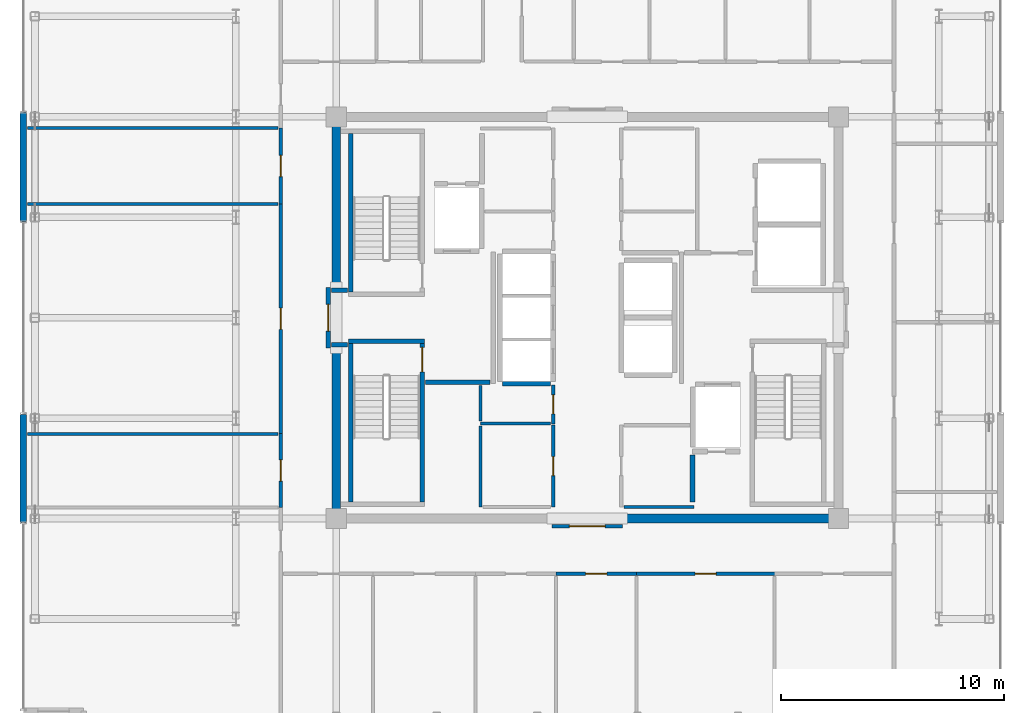
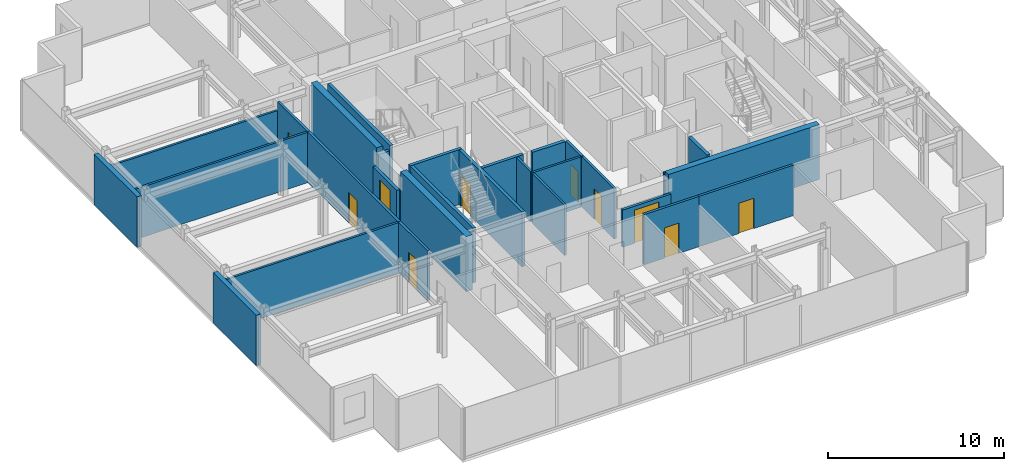
# One storey, part 11 of 16: 30 walls, 10 doors, 10 openings.
"""IFC4 building model written with IfcOpenShell, lengths in metres."""

from ifc_helpers import new_model, si_unit, direction, frame, frame_2d, origin, place, context, subcontext, project, spatial, rectangle, extrude, source, transform, mapped, material, layer, layer_set, type_object, element, fill, save


model = new_model("IFC4")

# Units and contexts
model_context = context("Model", 3, precision=1e-05, world=origin(), true_north=direction((0.0, 1.0)))
body_context = subcontext(model_context, "Body", "Model", "MODEL_VIEW")
ifc_project = project(units=[si_unit("LENGTHUNIT", "METRE"), si_unit("AREAUNIT", "SQUARE_METRE"), si_unit("VOLUMEUNIT", "CUBIC_METRE"), si_unit("PLANEANGLEUNIT", "RADIAN"), si_unit("MASSUNIT", "GRAM", prefix="KILO")], contexts=[model_context])

# Site, building, storey
site_placement = place(None, origin())
site = spatial("IfcSite", under=ifc_project, at=site_placement, CompositionType="ELEMENT")
building_placement = place(site_placement, origin())
building = spatial("IfcBuilding", under=site, at=building_placement, Name="Nefas-Gora Pilgrimage Tower", CompositionType="ELEMENT")
storey_placement = place(building_placement, frame((0.0, 0.0, 345.199951171875)))
storey = spatial("IfcBuildingStorey", under=building, at=storey_placement, Name="L87", CompositionType="ELEMENT", Elevation=345.199951171875)

# Walls
ifc_material_1 = material(Name="Concrete C50/60", Category="concrete")
ifc_layer_1 = layer(ifc_material_1, 0.39990234375)
ifc_layer_set_1 = layer_set([ifc_layer_1], Name="Concrete C50/60")
wall_type_1 = type_object("IfcWallType", Name="SW-CORE-400", PredefinedType="SHEAR", material=ifc_layer_set_1)
shared_shape_1 = source(origin(), body_context, "Body", "SweptSolid", [
    extrude(rectangle(XDim=9.89990234375, YDim=0.39990234375, at=frame_2d((4.949951171875, 0.0))), origin(), (0.0, 0.0, 1.0), 3.800048828125),
])
wall_1_placement = place(storey_placement, frame((1.550048828125, -9.0, 0.0), z_axis=(0.0, 0.0, 1.0), x_axis=(1.0, 0.0, 0.0)))
element("IfcWall", 1, at=wall_1_placement, inside=storey, type_object=wall_type_1, Name="L87 Core Shear Wall S-East", PredefinedType="SHEAR", context=body_context, shape_type="MappedRepresentation", body=[
    mapped(shared_shape_1, transform((0.0, 0.0, 0.0), x_axis=(1.0, 0.0, 0.0), y_axis=(0.0, 1.0, 0.0), z_axis=(0.0, 0.0, 1.0), scale=1.0)),
])
shared_shape_2 = source(origin(), body_context, "Body", "SweptSolid", [
    extrude(rectangle(XDim=7.449951171875, YDim=0.39990234375, at=frame_2d((3.72509765625, 0.0))), origin(), (0.0, 0.0, 1.0), 3.800048828125),
])
for number, where, z_axis, x_axis, name in (
    (2, (-11.25, -8.800048828125, 0.0), (0.0, 0.0, 1.0), (0.0, 1.0, 0.0), "L87 Core Shear Wall W-South"),
    (3, (-11.25, 1.35009765625, 0.0), (0.0, 0.0, 1.0), (0.0, 1.0, 0.0), "L87 Core Shear Wall W-North"),
):
    element("IfcWall", number, at=place(storey_placement, frame(where, z_axis=z_axis, x_axis=x_axis)), inside=storey, type_object=wall_type_1, Name=name, PredefinedType="SHEAR", context=body_context, shape_type="MappedRepresentation", body=[
        mapped(shared_shape_2, transform((0.0, 0.0, 0.0), x_axis=(1.0, 0.0, 0.0), y_axis=(0.0, 1.0, 0.0), z_axis=(0.0, 0.0, 1.0), scale=1.0)),
    ])
ifc_material_2 = material(Name="Precast concrete C45/55", Category="concrete")
ifc_layer_2 = layer(ifc_material_2, 0.239990234375)
ifc_layer_set_2 = layer_set([ifc_layer_2], Name="Precast concrete C45/55")
wall_type_2 = type_object("IfcWallType", Name="EW-SERR-240", PredefinedType="SHEAR", material=ifc_layer_set_2)
shared_shape_3 = source(origin(), body_context, "Body", "SweptSolid", [
    extrude(rectangle(XDim=4.8798828125, YDim=0.300048828125, at=frame_2d((2.43994140625, 0.0))), origin(), (0.0, 0.0, 1.0), 3.5),
])
for number, where, z_axis, x_axis, name in (
    (4, (-25.27001953125, -9.18994140625, 0.0), (0.0, 0.0, 1.0), (0.0, 1.0, 0.0), "L87 Braced-Tube Precast Shear Cladding 1"),
    (5, (-25.27001953125, 4.31005859375, 0.0), (0.0, 0.0, 1.0), (0.0, 1.0, 0.0), "L87 Braced-Tube Precast Shear Cladding 2"),
):
    element("IfcWall", number, at=place(storey_placement, frame(where, z_axis=z_axis, x_axis=x_axis)), inside=storey, type_object=wall_type_2, Name=name, PredefinedType="SHEAR", context=body_context, shape_type="MappedRepresentation", body=[
        mapped(shared_shape_3, transform((0.0, 0.0, 0.0), x_axis=(1.0, 0.0, 0.0), y_axis=(0.0, 1.0, 0.0), z_axis=(0.0, 0.0, 1.0), scale=1.0)),
    ])
ifc_material_3 = material(Name="Concrete C45/55", Category="concrete")
ifc_layer_3 = layer(ifc_material_3, 0.199951171875)
ifc_layer_set_3 = layer_set([ifc_layer_3], Name="Concrete C45/55")
wall_type_3 = type_object("IfcWallType", Name="IW-STAIR-200", PredefinedType="SOLIDWALL", material=ifc_layer_set_3)
shared_shape_4 = source(origin(), body_context, "Body", "SweptSolid", [
    extrude(rectangle(XDim=3.39990234375, YDim=0.199951171875, at=frame_2d((1.699951171875, 0.0))), origin(), (0.0, 0.0, 1.0), 3.800048828125),
])
wall_2_placement = place(storey_placement, frame((-10.699951171875, -1.050048828125, 0.0), z_axis=(0.0, 0.0, 1.0), x_axis=(1.0, 0.0, 0.0)))
element("IfcWall", 6, at=wall_2_placement, inside=storey, type_object=wall_type_3, Name="L87 Stairwell Shear Wall ST-03-near", PredefinedType="SOLIDWALL", context=body_context, shape_type="MappedRepresentation", body=[
    mapped(shared_shape_4, transform((0.0, 0.0, 0.0), x_axis=(1.0, 0.0, 0.0), y_axis=(0.0, 1.0, 0.0), z_axis=(0.0, 0.0, 1.0), scale=1.0)),
])
shared_shape_5 = source(origin(), body_context, "Body", "SweptSolid", [
    extrude(rectangle(XDim=7.10009765625, YDim=0.199951171875, at=frame_2d((3.550048828125, 0.0))), origin(), (0.0, 0.0, 1.0), 3.800048828125),
])
for number, where, z_axis, x_axis, name in (
    (7, (-10.60009765625, 1.14990234375, 0.0), (0.0, 0.0, 1.0), (0.0, 1.0, 0.0), "L87 Stairwell Shear Wall ST-01-right"),
    (8, (-10.60009765625, -1.14990234375, 0.0), (0.0, 0.0, 1.0), (0.0, -1.0, 0.0), "L87 Stairwell Shear Wall ST-03-left"),
):
    element("IfcWall", number, at=place(storey_placement, frame(where, z_axis=z_axis, x_axis=x_axis)), inside=storey, type_object=wall_type_3, Name=name, PredefinedType="SOLIDWALL", context=body_context, shape_type="MappedRepresentation", body=[
        mapped(shared_shape_5, transform((0.0, 0.0, 0.0), x_axis=(1.0, 0.0, 0.0), y_axis=(0.0, 1.0, 0.0), z_axis=(0.0, 0.0, 1.0), scale=1.0)),
    ])

# Wall, opening, door
wall_3_placement = place(storey_placement, frame((-7.39990234375, -1.14990234375, 0.0), z_axis=(0.0, 0.0, 1.0), x_axis=(0.0, -1.0, 0.0)))
wall_3 = element("IfcWall", 9, at=wall_3_placement, inside=storey, type_object=wall_type_3, Name="L87 Stairwell Shear Wall ST-03-right", PredefinedType="SOLIDWALL", context=body_context, shape_type="MappedRepresentation", body=[
    mapped(shared_shape_5, transform((0.0, 0.0, 0.0), x_axis=(1.0, 0.0, 0.0), y_axis=(0.0, 1.0, 0.0), z_axis=(0.0, 0.0, 1.0), scale=1.0)),
])
opening_1_placement = place(wall_3_placement, frame((0.179931640625, 0.0, 0.0)))
opening_1 = element("IfcOpeningElement", 10, at=opening_1_placement, cuts=wall_3, Name="Opening ID-ST1", PredefinedType="OPENING", context=body_context, shape_type="SweptSolid", body=[
    extrude(rectangle(XDim=1.10009765625, YDim=2.14990234375, at=frame_2d((0.550048828125, 1.074951171875))), frame((0.0, 0.10986328125, 0.0), z_axis=(0.0, -1.0, 0.0), x_axis=(1.0, 0.0, 0.0)), (0.0, 0.0, 1.0), 0.219970703125),
])
ifc_material_4 = material(Name="Painted galvanised steel fire stair door", Category="steel")
door_type_1 = type_object("IfcDoorType", Name="DR-INT-STAIR-1100", OperationType="NOTDEFINED", PredefinedType="DOOR", material=ifc_material_4)
shared_shape_6 = source(origin(), body_context, "Body", "SweptSolid", [
    extrude(rectangle(XDim=1.10009765625, YDim=2.14990234375, at=frame_2d((0.550048828125, 1.074951171875))), frame((0.0, 0.02490234375, 0.0), z_axis=(0.0, -1.0, 0.0), x_axis=(1.0, 0.0, 0.0)), (0.0, 0.0, 1.0), 0.050048828125),
])
door_1_placement = place(opening_1_placement, origin())
door_1 = element("IfcDoor", 11, at=door_1_placement, inside=storey, type_object=door_type_1, Name="L87 Protected Exit Stair Door ST-03", OperationType="SINGLE_SWING_LEFT", OverallHeight=2.14990234375, OverallWidth=1.10009765625, PredefinedType="DOOR", context=body_context, shape_type="MappedRepresentation", body=[
    mapped(shared_shape_6, transform((0.0, 0.0, 0.0), x_axis=(1.0, 0.0, 0.0), y_axis=(0.0, 1.0, 0.0), z_axis=(0.0, 0.0, 1.0), scale=1.0)),
])
fill(opening_1, door_1)

# Walls
ifc_material_5 = material(Name="Concrete C40/50", Category="concrete")
ifc_layer_4 = layer(ifc_material_5, 0.219970703125)
ifc_layer_set_4 = layer_set([ifc_layer_4], Name="Concrete C40/50")
wall_type_4 = type_object("IfcWallType", Name="IW-SHAFT-220", PredefinedType="SOLIDWALL", material=ifc_layer_set_4)
shared_shape_7 = source(origin(), body_context, "Body", "SweptSolid", [
    extrude(rectangle(XDim=2.130126953125, YDim=0.219970703125, at=frame_2d((1.06494140625, 0.0))), origin(), (0.0, 0.0, 1.0), 3.485107421875),
])
wall_4_placement = place(storey_placement, frame((-3.7900390625, -2.9599609375, 0.0), z_axis=(0.0, 0.0, 1.0), x_axis=(1.0, 0.0, 0.0)))
element("IfcWall", 12, at=wall_4_placement, inside=storey, type_object=wall_type_4, Name="L87 Hoistway Wall PL3-01-S", PredefinedType="SOLIDWALL", context=body_context, shape_type="MappedRepresentation", body=[
    mapped(shared_shape_7, transform((0.0, 0.0, 0.0), x_axis=(1.0, 0.0, 0.0), y_axis=(0.0, 1.0, 0.0), z_axis=(0.0, 0.0, 1.0), scale=1.0)),
])
ifc_material_6 = material(Name="Gypsum fire-rated shaftwall")
ifc_layer_5 = layer(ifc_material_6, 0.199951171875)
ifc_layer_set_5 = layer_set([ifc_layer_5], Name="Gypsum fire-rated shaftwall")
wall_type_5 = type_object("IfcWallType", Name="IW-FFLOB-200", PredefinedType="PARTITIONING", material=ifc_layer_set_5)
shared_shape_8 = source(origin(), body_context, "Body", "SweptSolid", [
    extrude(rectangle(XDim=2.89990234375, YDim=0.199951171875, at=frame_2d((1.449951171875, 0.0))), origin(), (0.0, 0.0, 1.0), 3.485107421875),
])
wall_5_placement = place(storey_placement, frame((-7.260009765625, -2.89990234375, 0.0), z_axis=(0.0, 0.0, 1.0), x_axis=(1.0, 0.0, 0.0)))
element("IfcWall", 13, at=wall_5_placement, inside=storey, type_object=wall_type_5, Name="L87 FF Lobby West South Wall Wall 7", PredefinedType="PARTITIONING", context=body_context, shape_type="MappedRepresentation", body=[
    mapped(shared_shape_8, transform((0.0, 0.0, 0.0), x_axis=(1.0, 0.0, 0.0), y_axis=(0.0, 1.0, 0.0), z_axis=(0.0, 0.0, 1.0), scale=1.0)),
])
shared_shape_9 = source(origin(), body_context, "Body", "SweptSolid", [
    extrude(rectangle(XDim=0.719970703125, YDim=0.199951171875, at=frame_2d((0.35986328125, 0.0))), origin(), (0.0, 0.0, 1.0), 3.485107421875),
])
for number, where, z_axis, x_axis, name in (
    (14, (-11.4599609375, 1.219970703125, 0.0), (0.0, 0.0, 1.0), (1.0, 0.0, 0.0), "L87 FF Lobby West Throat N Wall 8"),
    (15, (-11.4599609375, -1.219970703125, 0.0), (0.0, 0.0, 1.0), (1.0, 0.0, 0.0), "L87 FF Lobby West Throat S Wall 9"),
):
    element("IfcWall", number, at=place(storey_placement, frame(where, z_axis=z_axis, x_axis=x_axis)), inside=storey, type_object=wall_type_5, Name=name, PredefinedType="PARTITIONING", context=body_context, shape_type="MappedRepresentation", body=[
        mapped(shared_shape_9, transform((0.0, 0.0, 0.0), x_axis=(1.0, 0.0, 0.0), y_axis=(0.0, 1.0, 0.0), z_axis=(0.0, 0.0, 1.0), scale=1.0)),
    ])
ifc_material_7 = material(Name="Gypsum twin-stud partition")
ifc_layer_6 = layer(ifc_material_7, 0.139892578125)
ifc_layer_set_6 = layer_set([ifc_layer_6], Name="Gypsum twin-stud partition")
wall_type_6 = type_object("IfcWallType", Name="IW-UNIT-140", PredefinedType="PARTITIONING", material=ifc_layer_set_6)
shared_shape_10 = source(origin(), body_context, "Body", "SweptSolid", [
    extrude(rectangle(XDim=3.150146484375, YDim=0.139892578125, at=frame_2d((1.5751953125, 0.0))), origin(), (0.0, 0.0, 1.0), 3.485107421875),
])
for number, where, z_axis, x_axis, name in (
    (16, (-4.7900390625, -4.75, 0.0), (0.0, 0.0, 1.0), (1.0, 0.0, 0.0), "L87 Guest Self-Service Laundry Room Partition Wall 32"),
    (17, (1.639892578125, -8.47998046875, 0.0), (0.0, 0.0, 1.0), (1.0, 0.0, 0.0), "L87 High-Rise Tableware Store Partition Wall 39"),
):
    element("IfcWall", number, at=place(storey_placement, frame(where, z_axis=z_axis, x_axis=x_axis)), inside=storey, type_object=wall_type_6, Name=name, PredefinedType="PARTITIONING", context=body_context, shape_type="MappedRepresentation", body=[
        mapped(shared_shape_10, transform((0.0, 0.0, 0.0), x_axis=(1.0, 0.0, 0.0), y_axis=(0.0, 1.0, 0.0), z_axis=(0.0, 0.0, 1.0), scale=1.0)),
    ])

# Wall, opening, door
ifc_material_8 = material(Name="Gypsum acoustic stud partition")
ifc_layer_7 = layer(ifc_material_8, 0.159912109375)
ifc_layer_set_7 = layer_set([ifc_layer_7], Name="Gypsum acoustic stud partition")
wall_type_7 = type_object("IfcWallType", Name="IW-CORR-160", PredefinedType="PARTITIONING", material=ifc_layer_set_7)
shared_shape_11 = source(origin(), body_context, "Body", "SweptSolid", [
    extrude(rectangle(XDim=3.309814453125, YDim=0.159912109375, at=frame_2d((1.65478515625, 0.0))), origin(), (0.0, 0.0, 1.0), 3.485107421875),
])
wall_6_placement = place(storey_placement, frame((-13.739990234375, -8.5048828125, 0.0), z_axis=(0.0, 0.0, 1.0), x_axis=(0.0, 1.0, 0.0)))
wall_6 = element("IfcWall", 18, at=wall_6_placement, inside=storey, type_object=wall_type_7, Name="L87 Pastoral Chaplains Counselling Office Partition Wall 45", PredefinedType="PARTITIONING", context=body_context, shape_type="MappedRepresentation", body=[
    mapped(shared_shape_11, transform((0.0, 0.0, 0.0), x_axis=(1.0, 0.0, 0.0), y_axis=(0.0, 1.0, 0.0), z_axis=(0.0, 0.0, 1.0), scale=1.0)),
])
opening_2_placement = place(wall_6_placement, frame((1.179931640625, 0.0, 0.0)))
opening_2 = element("IfcOpeningElement", 19, at=opening_2_placement, cuts=wall_6, Name="Opening ID-GR1", PredefinedType="OPENING", context=body_context, shape_type="SweptSolid", body=[
    extrude(rectangle(XDim=0.949951171875, YDim=2.10009765625, at=frame_2d((0.47509765625, 1.050048828125))), frame((0.0, 0.08984375, 0.0), z_axis=(0.0, -1.0, 0.0), x_axis=(1.0, 0.0, 0.0)), (0.0, 0.0, 1.0), 0.179931640625),
])
ifc_material_9 = material(Name="Solid core oak fire-rated guest entrance door")
door_type_2 = type_object("IfcDoorType", Name="DR-INT-GUEST-950", OperationType="NOTDEFINED", PredefinedType="DOOR", material=ifc_material_9)
shared_shape_12 = source(origin(), body_context, "Body", "SweptSolid", [
    extrude(rectangle(XDim=0.949951171875, YDim=2.10009765625, at=frame_2d((0.47509765625, 1.050048828125))), frame((0.0, 0.02490234375, 0.0), z_axis=(0.0, -1.0, 0.0), x_axis=(1.0, 0.0, 0.0)), (0.0, 0.0, 1.0), 0.050048828125),
])
door_2_placement = place(opening_2_placement, origin())
door_2 = element("IfcDoor", 20, at=door_2_placement, inside=storey, type_object=door_type_2, Name="L87 Pastoral Chaplains Counselling Office Door 18", OperationType="SINGLE_SWING_LEFT", OverallHeight=2.10009765625, OverallWidth=0.949951171875, PredefinedType="DOOR", context=body_context, shape_type="MappedRepresentation", body=[
    mapped(shared_shape_12, transform((0.0, 0.0, 0.0), x_axis=(1.0, 0.0, 0.0), y_axis=(0.0, 1.0, 0.0), z_axis=(0.0, 0.0, 1.0), scale=1.0)),
])
fill(opening_2, door_2)

shared_shape_13 = source(origin(), body_context, "Body", "SweptSolid", [
    extrude(rectangle(XDim=1.75, YDim=0.159912109375, at=frame_2d((0.875, 0.0))), origin(), (0.0, 0.0, 1.0), 3.485107421875),
])
wall_7_placement = place(storey_placement, frame((-1.52001953125, -4.760009765625, 0.0), z_axis=(0.0, 0.0, 1.0), x_axis=(0.0, 1.0, 0.0)))
wall_7 = element("IfcWall", 21, at=wall_7_placement, inside=storey, type_object=wall_type_7, Name="L87 Guest Self-Service Laundry Room Wall 31", PredefinedType="PARTITIONING", context=body_context, shape_type="MappedRepresentation", body=[
    mapped(shared_shape_13, transform((0.0, 0.0, 0.0), x_axis=(1.0, 0.0, 0.0), y_axis=(0.0, 1.0, 0.0), z_axis=(0.0, 0.0, 1.0), scale=1.0)),
])
opening_3_placement = place(wall_7_placement, frame((0.449951171875, 0.0, 0.0)))
opening_3 = element("IfcOpeningElement", 22, at=opening_3_placement, cuts=wall_7, Name="Opening ID-BT1", PredefinedType="OPENING", context=body_context, shape_type="SweptSolid", body=[
    extrude(rectangle(XDim=0.85009765625, YDim=2.10009765625, at=frame_2d((0.425048828125, 1.050048828125))), frame((0.0, 0.08984375, 0.0), z_axis=(0.0, -1.0, 0.0), x_axis=(1.0, 0.0, 0.0)), (0.0, 0.0, 1.0), 0.179931640625),
])
ifc_material_10 = material(Name="Moisture-resistant fire-rated timber door", Category="wood")
door_type_3 = type_object("IfcDoorType", Name="DR-INT-BATH-850", OperationType="NOTDEFINED", PredefinedType="DOOR", material=ifc_material_10)
shared_shape_14 = source(origin(), body_context, "Body", "SweptSolid", [
    extrude(rectangle(XDim=0.85009765625, YDim=2.10009765625, at=frame_2d((0.425048828125, 1.050048828125))), frame((0.0, 0.02490234375, 0.0), z_axis=(0.0, -1.0, 0.0), x_axis=(1.0, 0.0, 0.0)), (0.0, 0.0, 1.0), 0.050048828125),
])
door_3_placement = place(opening_3_placement, origin())
door_3 = element("IfcDoor", 23, at=door_3_placement, inside=storey, type_object=door_type_3, Name="L87 Guest Self-Service Laundry Room Door 13", OperationType="SINGLE_SWING_RIGHT", OverallHeight=2.10009765625, OverallWidth=0.85009765625, PredefinedType="DOOR", context=body_context, shape_type="MappedRepresentation", body=[
    mapped(shared_shape_14, transform((0.0, 0.0, 0.0), x_axis=(1.0, 0.0, 0.0), y_axis=(0.0, 1.0, 0.0), z_axis=(0.0, 0.0, 1.0), scale=1.0)),
])
fill(opening_3, door_3)

shared_shape_15 = source(origin(), body_context, "Body", "SweptSolid", [
    extrude(rectangle(XDim=3.679931640625, YDim=0.159912109375, at=frame_2d((1.83984375, 0.0))), origin(), (0.0, 0.0, 1.0), 3.485107421875),
])
wall_8_placement = place(storey_placement, frame((-1.52001953125, -8.489990234375, 0.0), z_axis=(0.0, 0.0, 1.0), x_axis=(0.0, 1.0, 0.0)))
wall_8 = element("IfcWall", 24, at=wall_8_placement, inside=storey, type_object=wall_type_7, Name="L87 High-Rise Linen Store Wall 34", PredefinedType="PARTITIONING", context=body_context, shape_type="MappedRepresentation", body=[
    mapped(shared_shape_15, transform((0.0, 0.0, 0.0), x_axis=(1.0, 0.0, 0.0), y_axis=(0.0, 1.0, 0.0), z_axis=(0.0, 0.0, 1.0), scale=1.0)),
])
opening_4_placement = place(wall_8_placement, frame((1.4150390625, 0.0, 0.0)))
opening_4 = element("IfcOpeningElement", 25, at=opening_4_placement, cuts=wall_8, Name="Opening ID-BT1", PredefinedType="OPENING", context=body_context, shape_type="SweptSolid", body=[
    extrude(rectangle(XDim=0.85009765625, YDim=2.10009765625, at=frame_2d((0.425048828125, 1.050048828125))), frame((0.0, 0.08984375, 0.0), z_axis=(0.0, -1.0, 0.0), x_axis=(1.0, 0.0, 0.0)), (0.0, 0.0, 1.0), 0.179931640625),
])
door_4_placement = place(opening_4_placement, origin())
door_4 = element("IfcDoor", 26, at=door_4_placement, inside=storey, type_object=door_type_3, Name="L87 High-Rise Linen Store Door 14", OperationType="SINGLE_SWING_LEFT", OverallHeight=2.10009765625, OverallWidth=0.85009765625, PredefinedType="DOOR", context=body_context, shape_type="MappedRepresentation", body=[
    mapped(shared_shape_14, transform((0.0, 0.0, 0.0), x_axis=(1.0, 0.0, 0.0), y_axis=(0.0, 1.0, 0.0), z_axis=(0.0, 0.0, 1.0), scale=1.0)),
])
fill(opening_4, door_4)

# Wall
shared_shape_16 = source(origin(), body_context, "Body", "SweptSolid", [
    extrude(rectangle(XDim=11.219970703125, YDim=0.139892578125, at=frame_2d((5.60986328125, 0.0))), origin(), (0.0, 0.0, 1.0), 2.925048828125),
])
wall_9_placement = place(storey_placement, frame((-25.080078125, 8.4951171875, 0.0), z_axis=(0.0, 0.0, 1.0), x_axis=(1.0, 0.0, 0.0)))
element("IfcWall", 27, at=wall_9_placement, inside=storey, type_object=wall_type_6, Name="L87 Scripture Reading Study Partition Wall 50", PredefinedType="PARTITIONING", context=body_context, shape_type="MappedRepresentation", body=[
    mapped(shared_shape_16, transform((0.0, 0.0, 0.0), x_axis=(1.0, 0.0, 0.0), y_axis=(0.0, 1.0, 0.0), z_axis=(0.0, 0.0, 1.0), scale=1.0)),
])

# Wall, opening, door
shared_shape_17 = source(origin(), body_context, "Body", "SweptSolid", [
    extrude(rectangle(XDim=2.7001953125, YDim=0.199951171875, at=frame_2d((1.35009765625, 0.0))), origin(), (0.0, 0.0, 1.0), 2.574951171875),
])
wall_10_placement = place(storey_placement, frame((-11.60009765625, -1.35009765625, 0.0), z_axis=(0.0, 0.0, 1.0), x_axis=(0.0, 1.0, 0.0)))
wall_10 = element("IfcWall", 28, at=wall_10_placement, inside=storey, type_object=wall_type_5, Name="L87 FF Lobby West Portal Wall 5", PredefinedType="PARTITIONING", context=body_context, shape_type="MappedRepresentation", body=[
    mapped(shared_shape_17, transform((0.0, 0.0, 0.0), x_axis=(1.0, 0.0, 0.0), y_axis=(0.0, 1.0, 0.0), z_axis=(0.0, 0.0, 1.0), scale=1.0)),
])
opening_5_placement = place(wall_10_placement, frame((0.75, 0.0, 0.0)))
opening_5 = element("IfcOpeningElement", 29, at=opening_5_placement, cuts=wall_10, Name="Opening ID-FF1", PredefinedType="OPENING", context=body_context, shape_type="SweptSolid", body=[
    extrude(rectangle(XDim=1.199951171875, YDim=2.14990234375, at=frame_2d((0.60009765625, 1.074951171875))), frame((0.0, 0.10986328125, 0.0), z_axis=(0.0, -1.0, 0.0), x_axis=(1.0, 0.0, 0.0)), (0.0, 0.0, 1.0), 0.219970703125),
])
ifc_material_11 = material(Name="Smoke-sealed steel firefighting lobby door", Category="steel")
door_type_4 = type_object("IfcDoorType", Name="DR-INT-FFLOB-1200", OperationType="NOTDEFINED", PredefinedType="DOOR", material=ifc_material_11)
shared_shape_18 = source(origin(), body_context, "Body", "SweptSolid", [
    extrude(rectangle(XDim=1.199951171875, YDim=2.14990234375, at=frame_2d((0.60009765625, 1.074951171875))), frame((0.0, 0.02490234375, 0.0), z_axis=(0.0, -1.0, 0.0), x_axis=(1.0, 0.0, 0.0)), (0.0, 0.0, 1.0), 0.050048828125),
])
door_5_placement = place(opening_5_placement, origin())
door_5 = element("IfcDoor", 30, at=door_5_placement, inside=storey, type_object=door_type_4, Name="L87 FF Lobby West Portal Door 3", OperationType="SINGLE_SWING_RIGHT", OverallHeight=2.14990234375, OverallWidth=1.199951171875, PredefinedType="DOOR", context=body_context, shape_type="MappedRepresentation", body=[
    mapped(shared_shape_18, transform((0.0, 0.0, 0.0), x_axis=(1.0, 0.0, 0.0), y_axis=(0.0, 1.0, 0.0), z_axis=(0.0, 0.0, 1.0), scale=1.0)),
])
fill(opening_5, door_5)

shared_shape_19 = source(origin(), body_context, "Body", "SweptSolid", [
    extrude(rectangle(XDim=3.16015625, YDim=0.159912109375, at=frame_2d((1.580078125, 0.0))), origin(), (0.0, 0.0, 1.0), 2.574951171875),
])
wall_11_placement = place(storey_placement, frame((-1.580078125, -9.35009765625, 0.0), z_axis=(0.0, 0.0, 1.0), x_axis=(1.0, 0.0, 0.0)))
wall_11 = element("IfcWall", 31, at=wall_11_placement, inside=storey, type_object=wall_type_7, Name="L87 Central Lift Lobby South Portal Wall 17", PredefinedType="PARTITIONING", context=body_context, shape_type="MappedRepresentation", body=[
    mapped(shared_shape_19, transform((0.0, 0.0, 0.0), x_axis=(1.0, 0.0, 0.0), y_axis=(0.0, 1.0, 0.0), z_axis=(0.0, 0.0, 1.0), scale=1.0)),
])
opening_6_placement = place(wall_11_placement, frame((0.780029296875, 0.0, 0.0)))
opening_6 = element("IfcOpeningElement", 32, at=opening_6_placement, cuts=wall_11, Name="Opening ID-HL1", PredefinedType="OPENING", context=body_context, shape_type="SweptSolid", body=[
    extrude(rectangle(XDim=1.60009765625, YDim=2.300048828125, at=frame_2d((0.800048828125, 1.14990234375))), frame((0.0, 0.08984375, 0.0), z_axis=(0.0, -1.0, 0.0), x_axis=(1.0, 0.0, 0.0)), (0.0, 0.0, 1.0), 0.179931640625),
])
ifc_material_12 = material(Name="Double acoustic timber assembly hall door", Category="wood")
door_type_5 = type_object("IfcDoorType", Name="DR-INT-HALL-1600", OperationType="DOUBLE_DOOR_SINGLE_SWING", PredefinedType="DOOR", material=ifc_material_12)
shared_shape_20 = source(origin(), body_context, "Body", "SweptSolid", [
    extrude(rectangle(XDim=1.60009765625, YDim=2.300048828125, at=frame_2d((0.800048828125, 1.14990234375))), frame((0.0, 0.02490234375, 0.0), z_axis=(0.0, -1.0, 0.0), x_axis=(1.0, 0.0, 0.0)), (0.0, 0.0, 1.0), 0.050048828125),
])
door_6_placement = place(opening_6_placement, origin())
door_6 = element("IfcDoor", 33, at=door_6_placement, inside=storey, type_object=door_type_5, Name="L87 Central Lift Lobby South Portal Door 7", OperationType="DOUBLE_DOOR_SINGLE_SWING", OverallHeight=2.300048828125, OverallWidth=1.60009765625, PredefinedType="DOOR", context=body_context, shape_type="MappedRepresentation", body=[
    mapped(shared_shape_20, transform((0.0, 0.0, 0.0), x_axis=(1.0, 0.0, 0.0), y_axis=(0.0, 1.0, 0.0), z_axis=(0.0, 0.0, 1.0), scale=1.0)),
])
fill(opening_6, door_6)

# Walls
shared_shape_21 = source(origin(), body_context, "Body", "SweptSolid", [
    extrude(rectangle(XDim=2.10009765625, YDim=0.219970703125, at=frame_2d((1.050048828125, 0.0))), origin(), (0.0, 0.0, 1.0), 3.485107421875),
])
wall_12_placement = place(storey_placement, frame((4.719970703125, -8.25, 0.0), z_axis=(0.0, 0.0, 1.0), x_axis=(0.0, 1.0, 0.0)))
element("IfcWall", 34, at=wall_12_placement, inside=storey, type_object=wall_type_4, Name="L87 Riser Shaft Wall 4", PredefinedType="SOLIDWALL", context=body_context, shape_type="MappedRepresentation", body=[
    mapped(shared_shape_21, transform((0.0, 0.0, 0.0), x_axis=(1.0, 0.0, 0.0), y_axis=(0.0, 1.0, 0.0), z_axis=(0.0, 0.0, 1.0), scale=1.0)),
])
shared_shape_22 = source(origin(), body_context, "Body", "SweptSolid", [
    extrude(rectangle(XDim=1.599853515625, YDim=0.139892578125, at=frame_2d((0.7998046875, 0.0))), origin(), (0.0, 0.0, 1.0), 3.485107421875),
])
wall_13_placement = place(storey_placement, frame((-4.780029296875, -4.639892578125, 0.0), z_axis=(0.0, 0.0, 1.0), x_axis=(0.0, 1.0, 0.0)))
element("IfcWall", 35, at=wall_13_placement, inside=storey, type_object=wall_type_6, Name="L87 Guest Self-Service Laundry Room Partition Wall 33", PredefinedType="PARTITIONING", context=body_context, shape_type="MappedRepresentation", body=[
    mapped(shared_shape_22, transform((0.0, 0.0, 0.0), x_axis=(1.0, 0.0, 0.0), y_axis=(0.0, 1.0, 0.0), z_axis=(0.0, 0.0, 1.0), scale=1.0)),
])
shared_shape_23 = source(origin(), body_context, "Body", "SweptSolid", [
    extrude(rectangle(XDim=3.6298828125, YDim=0.139892578125, at=frame_2d((1.81494140625, 0.0))), origin(), (0.0, 0.0, 1.0), 3.485107421875),
])
wall_14_placement = place(storey_placement, frame((-4.780029296875, -8.489990234375, 0.0), z_axis=(0.0, 0.0, 1.0), x_axis=(0.0, 1.0, 0.0)))
element("IfcWall", 36, at=wall_14_placement, inside=storey, type_object=wall_type_6, Name="L87 High-Rise Linen Store Partition Wall 35", PredefinedType="PARTITIONING", context=body_context, shape_type="MappedRepresentation", body=[
    mapped(shared_shape_23, transform((0.0, 0.0, 0.0), x_axis=(1.0, 0.0, 0.0), y_axis=(0.0, 1.0, 0.0), z_axis=(0.0, 0.0, 1.0), scale=1.0)),
])
shared_shape_24 = source(origin(), body_context, "Body", "SweptSolid", [
    extrude(rectangle(XDim=11.219970703125, YDim=0.139892578125, at=frame_2d((5.60986328125, 0.0))), origin(), (0.0, 0.0, 1.0), 3.485107421875),
])
for number, where, z_axis, x_axis, name in (
    (37, (-25.080078125, -5.205078125, 0.0), (0.0, 0.0, 1.0), (1.0, 0.0, 0.0), "L87 Pastoral Chaplains Counselling Office Partition Wall 46"),
    (38, (-25.080078125, 5.094970703125, 0.0), (0.0, 0.0, 1.0), (1.0, 0.0, 0.0), "L87 Pilgrim Devotional Prayer Gallery Partition Wall 48"),
):
    element("IfcWall", number, at=place(storey_placement, frame(where, z_axis=z_axis, x_axis=x_axis)), inside=storey, type_object=wall_type_6, Name=name, PredefinedType="PARTITIONING", context=body_context, shape_type="MappedRepresentation", body=[
        mapped(shared_shape_24, transform((0.0, 0.0, 0.0), x_axis=(1.0, 0.0, 0.0), y_axis=(0.0, 1.0, 0.0), z_axis=(0.0, 0.0, 1.0), scale=1.0)),
    ])

# Wall, opening, door
shared_shape_25 = source(origin(), body_context, "Body", "SweptSolid", [
    extrude(rectangle(XDim=10.31005859375, YDim=0.159912109375, at=frame_2d((5.155029296875, 0.0))), origin(), (0.0, 0.0, 1.0), 3.485107421875),
])
wall_15_placement = place(storey_placement, frame((-13.739990234375, -5.205078125, 0.0), z_axis=(0.0, 0.0, 1.0), x_axis=(0.0, 1.0, 0.0)))
wall_15 = element("IfcWall", 39, at=wall_15_placement, inside=storey, type_object=wall_type_7, Name="L87 Pilgrim Devotional Prayer Gallery Partition Wall 47", PredefinedType="PARTITIONING", context=body_context, shape_type="MappedRepresentation", body=[
    mapped(shared_shape_25, transform((0.0, 0.0, 0.0), x_axis=(1.0, 0.0, 0.0), y_axis=(0.0, 1.0, 0.0), z_axis=(0.0, 0.0, 1.0), scale=1.0)),
])
opening_7_placement = place(wall_15_placement, frame((4.679931640625, 0.0, 0.0)))
opening_7 = element("IfcOpeningElement", 40, at=opening_7_placement, cuts=wall_15, Name="Opening ID-GR1", PredefinedType="OPENING", context=body_context, shape_type="SweptSolid", body=[
    extrude(rectangle(XDim=0.949951171875, YDim=2.10009765625, at=frame_2d((0.47509765625, 1.050048828125))), frame((0.0, 0.08984375, 0.0), z_axis=(0.0, -1.0, 0.0), x_axis=(1.0, 0.0, 0.0)), (0.0, 0.0, 1.0), 0.179931640625),
])
door_7_placement = place(opening_7_placement, origin())
door_7 = element("IfcDoor", 41, at=door_7_placement, inside=storey, type_object=door_type_2, Name="L87 Pilgrim Devotional Prayer Gallery Door 19", OperationType="SINGLE_SWING_RIGHT", OverallHeight=2.10009765625, OverallWidth=0.949951171875, PredefinedType="DOOR", context=body_context, shape_type="MappedRepresentation", body=[
    mapped(shared_shape_12, transform((0.0, 0.0, 0.0), x_axis=(1.0, 0.0, 0.0), y_axis=(0.0, 1.0, 0.0), z_axis=(0.0, 0.0, 1.0), scale=1.0)),
])
fill(opening_7, door_7)

shared_shape_26 = source(origin(), body_context, "Body", "SweptSolid", [
    extrude(rectangle(XDim=3.409912109375, YDim=0.159912109375, at=frame_2d((1.705078125, 0.0))), origin(), (0.0, 0.0, 1.0), 3.485107421875),
])
wall_16_placement = place(storey_placement, frame((-13.739990234375, 5.094970703125, 0.0), z_axis=(0.0, 0.0, 1.0), x_axis=(0.0, 1.0, 0.0)))
wall_16 = element("IfcWall", 42, at=wall_16_placement, inside=storey, type_object=wall_type_7, Name="L87 Scripture Reading Study Partition Wall 49", PredefinedType="PARTITIONING", context=body_context, shape_type="MappedRepresentation", body=[
    mapped(shared_shape_26, transform((0.0, 0.0, 0.0), x_axis=(1.0, 0.0, 0.0), y_axis=(0.0, 1.0, 0.0), z_axis=(0.0, 0.0, 1.0), scale=1.0)),
])
opening_8_placement = place(wall_16_placement, frame((1.22998046875, 0.0, 0.0)))
opening_8 = element("IfcOpeningElement", 43, at=opening_8_placement, cuts=wall_16, Name="Opening ID-GR1", PredefinedType="OPENING", context=body_context, shape_type="SweptSolid", body=[
    extrude(rectangle(XDim=0.949951171875, YDim=2.10009765625, at=frame_2d((0.47509765625, 1.050048828125))), frame((0.0, 0.08984375, 0.0), z_axis=(0.0, -1.0, 0.0), x_axis=(1.0, 0.0, 0.0)), (0.0, 0.0, 1.0), 0.179931640625),
])
door_8_placement = place(opening_8_placement, origin())
door_8 = element("IfcDoor", 44, at=door_8_placement, inside=storey, type_object=door_type_2, Name="L87 Scripture Reading Study Door 20", OperationType="SINGLE_SWING_LEFT", OverallHeight=2.10009765625, OverallWidth=0.949951171875, PredefinedType="DOOR", context=body_context, shape_type="MappedRepresentation", body=[
    mapped(shared_shape_12, transform((0.0, 0.0, 0.0), x_axis=(1.0, 0.0, 0.0), y_axis=(0.0, 1.0, 0.0), z_axis=(0.0, 0.0, 1.0), scale=1.0)),
])
fill(opening_8, door_8)

shared_shape_27 = source(origin(), body_context, "Body", "SweptSolid", [
    extrude(rectangle(XDim=3.60498046875, YDim=0.159912109375, at=frame_2d((1.802490234375, 0.0))), origin(), (0.0, 0.0, 1.0), 3.485107421875),
])
wall_17_placement = place(storey_placement, frame((-1.39990234375, -11.469970703125, 0.0), z_axis=(0.0, 0.0, 1.0), x_axis=(1.0, 0.0, 0.0)))
wall_17 = element("IfcWall", 45, at=wall_17_placement, inside=storey, type_object=wall_type_7, Name="L87 Pilgrim Contemplative Lounge Partition Wall 79", PredefinedType="PARTITIONING", context=body_context, shape_type="MappedRepresentation", body=[
    mapped(shared_shape_27, transform((0.0, 0.0, 0.0), x_axis=(1.0, 0.0, 0.0), y_axis=(0.0, 1.0, 0.0), z_axis=(0.0, 0.0, 1.0), scale=1.0)),
])
opening_9_placement = place(wall_17_placement, frame((1.327392578125, 0.0, 0.0)))
opening_9 = element("IfcOpeningElement", 46, at=opening_9_placement, cuts=wall_17, Name="Opening ID-GR1", PredefinedType="OPENING", context=body_context, shape_type="SweptSolid", body=[
    extrude(rectangle(XDim=0.949951171875, YDim=2.10009765625, at=frame_2d((0.47509765625, 1.050048828125))), frame((0.0, 0.08984375, 0.0), z_axis=(0.0, -1.0, 0.0), x_axis=(1.0, 0.0, 0.0)), (0.0, 0.0, 1.0), 0.179931640625),
])
door_9_placement = place(opening_9_placement, origin())
door_9 = element("IfcDoor", 47, at=door_9_placement, inside=storey, type_object=door_type_2, Name="L87 Pilgrim Contemplative Lounge Door 35", OperationType="SINGLE_SWING_RIGHT", OverallHeight=2.10009765625, OverallWidth=0.949951171875, PredefinedType="DOOR", context=body_context, shape_type="MappedRepresentation", body=[
    mapped(shared_shape_12, transform((0.0, 0.0, 0.0), x_axis=(1.0, 0.0, 0.0), y_axis=(0.0, 1.0, 0.0), z_axis=(0.0, 0.0, 1.0), scale=1.0)),
])
fill(opening_9, door_9)

shared_shape_28 = source(origin(), body_context, "Body", "SweptSolid", [
    extrude(rectangle(XDim=6.2099609375, YDim=0.159912109375, at=frame_2d((3.10498046875, 0.0))), origin(), (0.0, 0.0, 1.0), 3.485107421875),
])
wall_18_placement = place(storey_placement, frame((2.195068359375, -11.469970703125, 0.0), z_axis=(0.0, 0.0, 1.0), x_axis=(1.0, 0.0, 0.0)))
wall_18 = element("IfcWall", 48, at=wall_18_placement, inside=storey, type_object=wall_type_7, Name="L87 Pilgrim Contemplative Lounge Partition Wall 81", PredefinedType="PARTITIONING", context=body_context, shape_type="MappedRepresentation", body=[
    mapped(shared_shape_28, transform((0.0, 0.0, 0.0), x_axis=(1.0, 0.0, 0.0), y_axis=(0.0, 1.0, 0.0), z_axis=(0.0, 0.0, 1.0), scale=1.0)),
])
opening_10_placement = place(wall_18_placement, frame((2.6298828125, 0.0, 0.0)))
opening_10 = element("IfcOpeningElement", 49, at=opening_10_placement, cuts=wall_18, Name="Opening ID-GR1", PredefinedType="OPENING", context=body_context, shape_type="SweptSolid", body=[
    extrude(rectangle(XDim=0.949951171875, YDim=2.10009765625, at=frame_2d((0.47509765625, 1.050048828125))), frame((0.0, 0.08984375, 0.0), z_axis=(0.0, -1.0, 0.0), x_axis=(1.0, 0.0, 0.0)), (0.0, 0.0, 1.0), 0.179931640625),
])
door_10_placement = place(opening_10_placement, origin())
door_10 = element("IfcDoor", 50, at=door_10_placement, inside=storey, type_object=door_type_2, Name="L87 Pilgrim Contemplative Lounge Door 36", OperationType="SINGLE_SWING_LEFT", OverallHeight=2.10009765625, OverallWidth=0.949951171875, PredefinedType="DOOR", context=body_context, shape_type="MappedRepresentation", body=[
    mapped(shared_shape_12, transform((0.0, 0.0, 0.0), x_axis=(1.0, 0.0, 0.0), y_axis=(0.0, 1.0, 0.0), z_axis=(0.0, 0.0, 1.0), scale=1.0)),
])
fill(opening_10, door_10)

save(model, "model.ifc")
